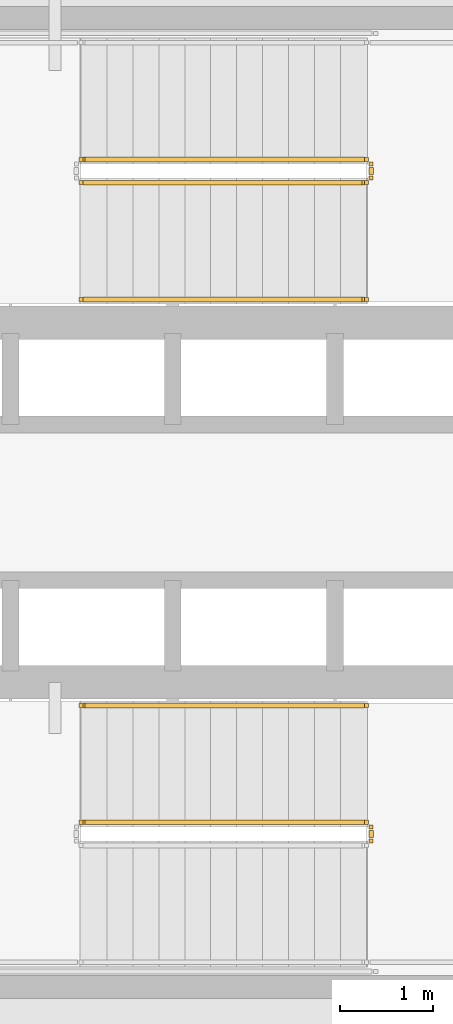
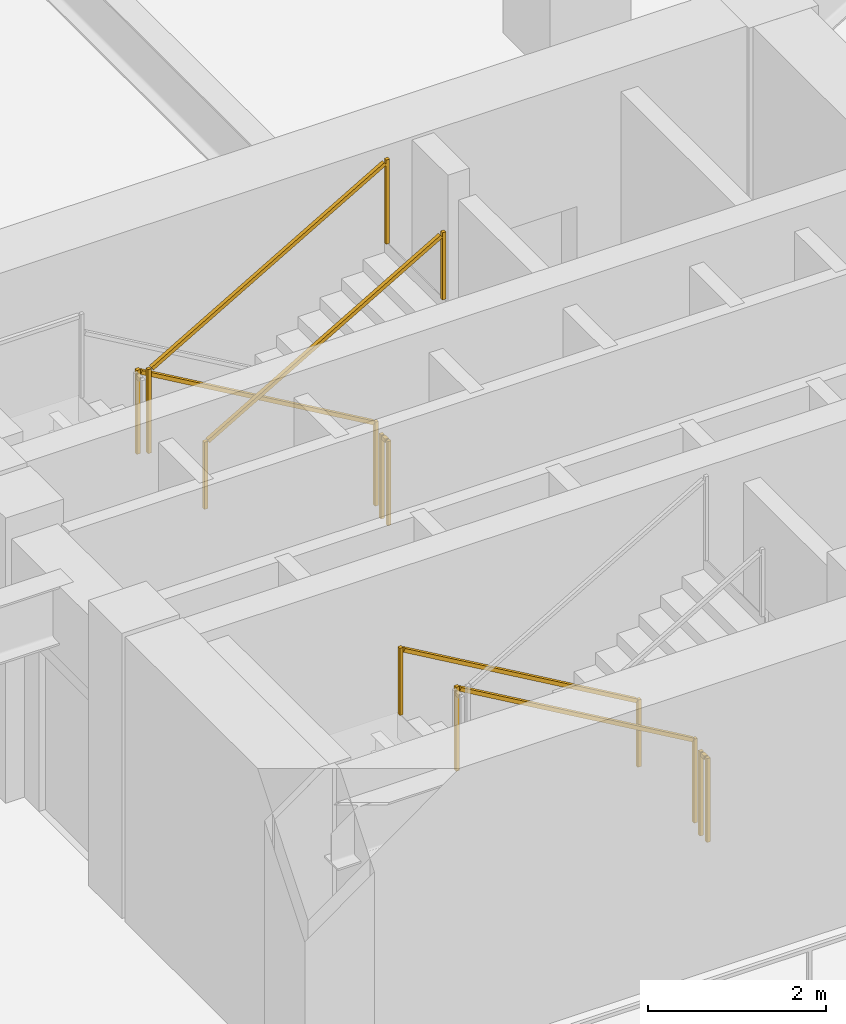
# One storey, part 10 of 15: 7 railings.
"""IFC4 building model written with IfcOpenShell, lengths in metres."""

import ifcopenshell
import ifcopenshell.guid

model = None  # the IFC model being written
_history = None  # IfcOwnerHistory: only IFC2X3 demands one
_inside = {}  # id of a spatial element -> (the spatial element, [elements in it])
_under = {}  # id of a project, library or spatial element -> (it, [spatial elements below it])
_declared = {}  # id of a project -> (the project, [libraries it declares])
_typed = {}  # id of a type object -> (the type object, [elements of that type])
_made_of = {}  # id of a material, layer set ... -> (it, [elements and type objects made of it])


def new_model(schema):
    """Start an empty IFC model of exactly this schema.

    Asked for "IFC4X3", IfcOpenShell would pick the latest addendum, in which some entities
    have other attributes; the version numbers below select the first issue.
    IFC2X3 requires an IfcOwnerHistory on every rooted entity: one is made here for all.
    """
    global model, _history
    if schema == "IFC4X3":
        model = ifcopenshell.file(schema_version=(4, 3, 0, 0))
    else:
        model = ifcopenshell.file(schema=schema)
    _inside.clear()
    _under.clear()
    _declared.clear()
    _typed.clear()
    _made_of.clear()
    _history = None
    if model.schema == "IFC2X3":
        org = make("IfcOrganization", Name="unknown")
        user = make(
            "IfcPersonAndOrganization",
            ThePerson=make("IfcPerson", FamilyName="unknown"),
            TheOrganization=org,
        )
        app = make(
            "IfcApplication",
            ApplicationDeveloper=org,
            Version="unknown",
            ApplicationFullName="unknown",
            ApplicationIdentifier="unknown",
        )
        _history = make(
            "IfcOwnerHistory",
            OwningUser=user,
            OwningApplication=app,
            ChangeAction="ADDED",
            CreationDate=0,
        )
    return model


def make(cls, **values):
    """One entity of the class cls with the attributes given. An attribute that is None is left unset."""
    return model.create_entity(
        cls, **{name: value for name, value in values.items() if value is not None}
    )


def rooted(cls, **values):
    """An entity with a GlobalId (a new one), such as an element, a storey or a relation."""
    return make(cls, GlobalId=ifcopenshell.guid.new(), OwnerHistory=_history, **values)


def si_unit(unit_type, name, prefix=None):
    """IfcSIUnit, for example si_unit("LENGTHUNIT", "METRE", prefix="MILLI")."""
    return make("IfcSIUnit", UnitType=unit_type, Prefix=prefix, Name=name)


def assignment(units):
    """IfcUnitAssignment: the units of a project."""
    return None if units is None else make("IfcUnitAssignment", Units=units)


def point(xyz):
    """IfcCartesianPoint."""
    return None if xyz is None else make("IfcCartesianPoint", Coordinates=xyz)


def direction(xyz):
    """IfcDirection."""
    return None if xyz is None else make("IfcDirection", DirectionRatios=xyz)


def frame(location, z_axis=None, x_axis=None):
    """IfcAxis2Placement3D, a coordinate frame: its origin and axes. An axis left out is left unset."""
    return make(
        "IfcAxis2Placement3D",
        Location=point(location),
        Axis=direction(z_axis),
        RefDirection=direction(x_axis),
    )


def frame_2d(location, x_axis=None):
    """IfcAxis2Placement2D, a coordinate frame in the plane: its origin and x axis."""
    return make(
        "IfcAxis2Placement2D", Location=point(location), RefDirection=direction(x_axis)
    )


def origin():
    """The frame at (0, 0, 0) with its axes left unset."""
    return frame((0.0, 0.0, 0.0))


def origin_2d():
    """The frame at (0, 0) in the plane with its x axis left unset."""
    return frame_2d((0.0, 0.0))


def place(relative_to, where):
    """IfcLocalPlacement: puts the frame where relative to a parent placement (None: the world)."""
    return make(
        "IfcLocalPlacement", PlacementRelTo=relative_to, RelativePlacement=where
    )


def context(
    kind, dimensions, precision=None, world=None, true_north=None, identifier=None
):
    """IfcGeometricRepresentationContext, for example the 3D "Model" context."""
    return make(
        "IfcGeometricRepresentationContext",
        ContextIdentifier=identifier,
        ContextType=kind,
        CoordinateSpaceDimension=dimensions,
        Precision=precision,
        WorldCoordinateSystem=world,
        TrueNorth=true_north,
    )


def subcontext(parent, identifier, kind, view, scale=None):
    """IfcGeometricRepresentationSubContext, for example "Body" below "Model"."""
    return make(
        "IfcGeometricRepresentationSubContext",
        ContextIdentifier=identifier,
        ContextType=kind,
        ParentContext=parent,
        TargetScale=scale,
        TargetView=view,
    )


def project(units=None, contexts=None):
    """IfcProject with its units and contexts."""
    return rooted(
        "IfcProject",
        Name="project",
        RepresentationContexts=contexts,
        UnitsInContext=assignment(units),
    )


def spatial(cls, under=None, at=None, **own):
    """A site, building, storey or space (cls), placed at a placement, below another one or the project."""
    s = rooted(cls, ObjectPlacement=at, **own)
    if under is not None:
        _under.setdefault(under.id(), (under, []))[1].append(s)
    return s


def profile(cls, at=None, kind="AREA", **sizes):
    """A parametric profile (cls). Its sizes go by their IFC names, for example OverallWidth=200.0."""
    return make(cls, ProfileType=kind, Position=at, **sizes)


def rectangle(**sizes):
    """IfcRectangleProfileDef."""
    return profile("IfcRectangleProfileDef", **sizes)


def extrude(swept, where, along, depth):
    """IfcExtrudedAreaSolid: the profile swept, set in the frame where, extruded along a direction by depth."""
    return make(
        "IfcExtrudedAreaSolid",
        SweptArea=swept,
        Position=where,
        ExtrudedDirection=direction(along),
        Depth=depth,
    )


def shape(context_of_items, identifier, shape_type, items):
    """IfcShapeRepresentation: the items that make up one representation, for example the "Body"."""
    return make(
        "IfcShapeRepresentation",
        ContextOfItems=context_of_items,
        RepresentationIdentifier=identifier,
        RepresentationType=shape_type,
        Items=items,
    )


def material(Name=None, Category=None):
    """IfcMaterial."""
    return make("IfcMaterial", Name=Name, Category=Category)


def made_of(thing, what):
    """Note that an element or type object is made of a material, layer set ...; save() writes the relation."""
    if what is not None:
        _made_of.setdefault(what.id(), (what, []))[1].append(thing)
    return thing


def type_object(cls, material=None, **own):
    """A type object (cls), such as IfcWallType, which elements share."""
    return made_of(rooted(cls, **own), material)


def element(
    cls,
    number,
    at=None,
    inside=None,
    cuts=None,
    type_object=None,
    material=None,
    context=None,
    identifier="Body",
    shape_type=None,
    held_by="IfcProductDefinitionShape",
    body=None,
    shapes=None,
    **own,
):
    """One element of the class cls, such as IfcWall. Its Tag is "e" and its number.

    at: its placement. inside: the storey or other place that contains it. cuts: it is an
    opening in that element (IfcRelVoidsElement). A single representation is given by context,
    identifier, shape_type and body (its items); several are given by shapes. held_by: the class
    of the entity that holds the representations. save() writes the other relations.
    """
    e = rooted(cls, Tag="e%d" % number, ObjectPlacement=at, **own)
    if body is not None:
        shapes = [shape(context, identifier, shape_type, body)]
    if shapes is not None:
        e.Representation = make(held_by, Representations=shapes)
    if inside is not None:
        _inside.setdefault(inside.id(), (inside, []))[1].append(e)
    if cuts is not None:
        rooted(
            "IfcRelVoidsElement", RelatingBuildingElement=cuts, RelatedOpeningElement=e
        )
    if type_object is not None:
        _typed.setdefault(type_object.id(), (type_object, []))[1].append(e)
    return made_of(e, material)


def aggregate(whole, parts):
    """IfcRelAggregates: a whole, such as a stair, and the parts it consists of."""
    return rooted("IfcRelAggregates", RelatingObject=whole, RelatedObjects=parts)


def save(model, path):
    """Write the relations noted so far, then the file.

    IfcRelAggregates (storeys below a building ...), IfcRelContainedInSpatialStructure (elements
    in a storey), IfcRelDefinesByType, IfcRelAssociatesMaterial and IfcRelDeclares: one each for
    every whole, place, type object, material and project.
    """
    for whole, parts in _under.values():
        aggregate(whole, parts)
    for where, things in _inside.values():
        rooted(
            "IfcRelContainedInSpatialStructure",
            RelatedElements=things,
            RelatingStructure=where,
        )
    for kind, things in _typed.values():
        rooted("IfcRelDefinesByType", RelatedObjects=things, RelatingType=kind)
    for what, things in _made_of.values():
        rooted("IfcRelAssociatesMaterial", RelatedObjects=things, RelatingMaterial=what)
    for by, libraries in _declared.values():
        rooted("IfcRelDeclares", RelatingContext=by, RelatedDefinitions=libraries)
    model.write(path)


model = new_model("IFC4")

# Units and contexts
model_context = context("Model", 3, precision=1e-05, world=origin(), true_north=direction((0.0, 1.0)))
body_context = subcontext(model_context, "Body", "Model", "MODEL_VIEW")
ifc_project = project(units=[si_unit("LENGTHUNIT", "METRE"), si_unit("AREAUNIT", "SQUARE_METRE"), si_unit("VOLUMEUNIT", "CUBIC_METRE"), si_unit("PLANEANGLEUNIT", "RADIAN"), si_unit("MASSUNIT", "GRAM", prefix="KILO")], contexts=[model_context])

# Site, building, storey
site_placement = place(None, origin())
site = spatial("IfcSite", under=ifc_project, at=site_placement, CompositionType="ELEMENT")
building_placement = place(site_placement, origin())
building = spatial("IfcBuilding", under=site, at=building_placement, Name="Yunling Apex Tower", CompositionType="ELEMENT")
storey_placement = place(building_placement, frame((0.0, 0.0, 8.39990234375)))
storey = spatial("IfcBuildingStorey", under=building, at=storey_placement, Name="L03", CompositionType="ELEMENT", Elevation=8.39990234375)

# Railings
ifc_material_1 = material(Name="Steel Q355B", Category="steel")
railing_type_1 = type_object("IfcRailingType", Name="RL-GRD-1150", PredefinedType="GUARDRAIL", material=ifc_material_1)
railing_1_placement = place(storey_placement, frame((-0.010009765625, 3.699951171875, 0.16259765625)))
element("IfcRailing", 1, at=railing_1_placement, inside=storey, type_object=railing_type_1, Name="L03 ST-1 stair guard 1", PredefinedType="GUARDRAIL", context=body_context, shape_type="SweptSolid", body=[
    extrude(rectangle(XDim=0.0439453125, YDim=0.0439453125, at=origin_2d()), origin(), (0.0, 0.0, 1.0), 1.14990234375),
    extrude(rectangle(XDim=0.0439453125, YDim=0.0439453125, at=origin_2d()), frame((-3.080078125, 0.0, 1.78759765625)), (0.0, 0.0, 1.0), 1.14990234375),
    extrude(rectangle(XDim=0.050048828125, YDim=0.050048828125, at=origin_2d()), frame((-0.033203125, 0.0, 1.14404296875), z_axis=(-0.864890721111, 0.0, 0.501960198159), x_axis=(0.0, -1.0, 0.0)), (0.0, 0.0, 1.0), 3.484619140625),
])
railing_2_placement = place(storey_placement, frame((-3.090087890625, 3.449951171875, 2.112548828125)))
element("IfcRailing", 2, at=railing_2_placement, inside=storey, type_object=railing_type_1, Name="L03 ST-1 stair guard 4", PredefinedType="GUARDRAIL", context=body_context, shape_type="SweptSolid", body=[
    extrude(rectangle(XDim=0.0439453125, YDim=0.0439453125, at=origin_2d()), origin(), (0.0, 0.0, 1.0), 1.14990234375),
    extrude(rectangle(XDim=0.0439453125, YDim=0.0439453125, at=origin_2d()), frame((3.080078125, 0.0, 1.78759765625)), (0.0, 0.0, 1.0), 1.14990234375),
    extrude(rectangle(XDim=0.050048828125, YDim=0.050048828125, at=origin_2d()), frame((0.033203125, 0.0, 1.14404296875), z_axis=(0.864890721111, 0.0, 0.501960198159), x_axis=(0.0, 1.0, 0.0)), (0.0, 0.0, 1.0), 3.484619140625),
])
railing_3_placement = place(storey_placement, frame((0.0400390625, 3.64990234375, 0.0)))
element("IfcRailing", 3, at=railing_3_placement, inside=storey, type_object=railing_type_1, Name="L03 ST-1 stair guard 5", PredefinedType="GUARDRAIL", context=body_context, shape_type="SweptSolid", body=[
    extrude(rectangle(XDim=0.0439453125, YDim=0.0439453125, at=origin_2d()), origin(), (0.0, 0.0, 1.0), 1.14990234375),
    extrude(rectangle(XDim=0.0439453125, YDim=0.0439453125, at=origin_2d()), frame((0.0, -0.14990234375, 0.0)), (0.0, 0.0, 1.0), 1.14990234375),
    extrude(rectangle(XDim=0.050048828125, YDim=0.050048828125, at=origin_2d()), frame((0.0, -0.038330078125, 1.125), z_axis=(0.0, -1.0, 0.0), x_axis=(1.0, 0.0, 0.0)), (0.0, 0.0, 1.0), 0.0732421875),
])
railing_4_placement = place(storey_placement, frame((-0.010009765625, -3.449951171875, 0.16259765625)))
element("IfcRailing", 4, at=railing_4_placement, inside=storey, type_object=railing_type_1, Name="L03 ST-2 stair guard 1", PredefinedType="GUARDRAIL", context=body_context, shape_type="SweptSolid", body=[
    extrude(rectangle(XDim=0.0439453125, YDim=0.0439453125, at=origin_2d()), origin(), (0.0, 0.0, 1.0), 1.14990234375),
    extrude(rectangle(XDim=0.0439453125, YDim=0.0439453125, at=origin_2d()), frame((-3.080078125, 0.0, 1.78759765625)), (0.0, 0.0, 1.0), 1.14990234375),
    extrude(rectangle(XDim=0.050048828125, YDim=0.050048828125, at=origin_2d()), frame((-0.033203125, 0.0, 1.14404296875), z_axis=(-0.864890721111, 0.0, 0.501960198159), x_axis=(0.0, -1.0, 0.0)), (0.0, 0.0, 1.0), 3.484619140625),
])
railing_5_placement = place(storey_placement, frame((0.0400390625, -3.5, 0.0)))
element("IfcRailing", 5, at=railing_5_placement, inside=storey, type_object=railing_type_1, Name="L03 ST-2 stair guard 5", PredefinedType="GUARDRAIL", context=body_context, shape_type="SweptSolid", body=[
    extrude(rectangle(XDim=0.0439453125, YDim=0.0439453125, at=origin_2d()), origin(), (0.0, 0.0, 1.0), 1.14990234375),
    extrude(rectangle(XDim=0.0439453125, YDim=0.0439453125, at=origin_2d()), frame((0.0, -0.14990234375, 0.0)), (0.0, 0.0, 1.0), 1.14990234375),
    extrude(rectangle(XDim=0.050048828125, YDim=0.050048828125, at=origin_2d()), frame((0.0, -0.038330078125, 1.125), z_axis=(0.0, -1.0, 0.0), x_axis=(1.0, 0.0, 0.0)), (0.0, 0.0, 1.0), 0.0732421875),
])
ifc_material_2 = material(Name="Silver anodised aluminium", Category="aluminium")
railing_type_2 = type_object("IfcRailingType", Name="RL-HND-900", PredefinedType="HANDRAIL", material=ifc_material_2)
railing_6_placement = place(storey_placement, frame((-3.090087890625, 2.18994140625, 2.112548828125)))
element("IfcRailing", 6, at=railing_6_placement, inside=storey, type_object=railing_type_2, Name="L03 ST-1 stair handrail 2", PredefinedType="HANDRAIL", context=body_context, shape_type="SweptSolid", body=[
    extrude(rectangle(XDim=0.0439453125, YDim=0.0439453125, at=origin_2d()), origin(), (0.0, 0.0, 1.0), 0.919921875),
    extrude(rectangle(XDim=0.0439453125, YDim=0.0439453125, at=origin_2d()), frame((3.080078125, 0.0, 1.78759765625)), (0.0, 0.0, 1.0), 0.919921875),
    extrude(rectangle(XDim=0.050048828125, YDim=0.050048828125, at=origin_2d()), frame((0.033203125, 0.0, 0.9140625), z_axis=(0.864890721111, 0.0, 0.501960198159), x_axis=(0.0, 1.0, 0.0)), (0.0, 0.0, 1.0), 3.484619140625),
])
railing_7_placement = place(storey_placement, frame((-0.010009765625, -2.18994140625, 0.16259765625)))
element("IfcRailing", 7, at=railing_7_placement, inside=storey, type_object=railing_type_2, Name="L03 ST-2 stair handrail 1", PredefinedType="HANDRAIL", context=body_context, shape_type="SweptSolid", body=[
    extrude(rectangle(XDim=0.0439453125, YDim=0.0439453125, at=origin_2d()), origin(), (0.0, 0.0, 1.0), 0.919921875),
    extrude(rectangle(XDim=0.0439453125, YDim=0.0439453125, at=origin_2d()), frame((-3.080078125, 0.0, 1.78759765625)), (0.0, 0.0, 1.0), 0.919921875),
    extrude(rectangle(XDim=0.050048828125, YDim=0.050048828125, at=origin_2d()), frame((-0.033203125, 0.0, 0.9140625), z_axis=(-0.864890721111, 0.0, 0.501960198159), x_axis=(0.0, -1.0, 0.0)), (0.0, 0.0, 1.0), 3.484619140625),
])

save(model, "model.ifc")
